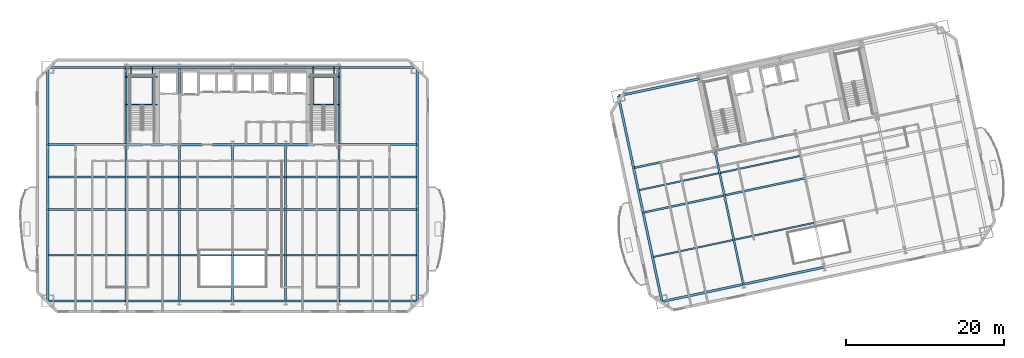
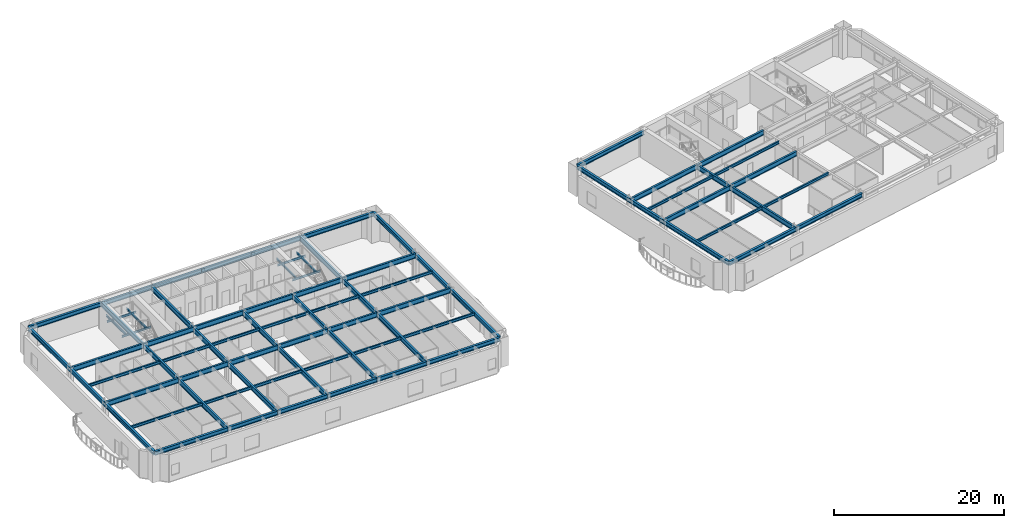
# One storey, part 3 of 15: 79 beams.
"""IFC4 building model written with IfcOpenShell, lengths in metres."""

from ifc_helpers import new_model, si_unit, direction, frame, origin, origin_2d, place, context, subcontext, project, spatial, i_section, extrude, material, material_profile, profile_set, type_object, element, save


model = new_model("IFC4")

# Units and contexts
model_context = context("Model", 3, precision=1e-05, world=origin(), true_north=direction((0.0, 1.0)))
body_context = subcontext(model_context, "Body", "Model", "MODEL_VIEW")
ifc_project = project(units=[si_unit("LENGTHUNIT", "METRE"), si_unit("AREAUNIT", "SQUARE_METRE"), si_unit("VOLUMEUNIT", "CUBIC_METRE"), si_unit("PLANEANGLEUNIT", "RADIAN"), si_unit("MASSUNIT", "GRAM", prefix="KILO")], contexts=[model_context])

# Site, building, storey
site_placement = place(None, origin())
site = spatial("IfcSite", under=ifc_project, at=site_placement, CompositionType="ELEMENT")
building_placement = place(site_placement, origin())
building = spatial("IfcBuilding", under=site, at=building_placement, Name="Haevon Station Towers", CompositionType="ELEMENT")
storey_placement = place(building_placement, frame((0.0, 0.0, 77.699951171875)))
storey = spatial("IfcBuildingStorey", under=building, at=storey_placement, Name="L20", CompositionType="ELEMENT", Elevation=77.699951171875)

# Beams
ifc_material = material(Name="Steel S355", Category="steel")
ifc_material_profile_1 = material_profile(ifc_material, i_section(OverallWidth=0.25, OverallDepth=0.699951171875, WebThickness=0.012939453125, FlangeThickness=0.02392578125, at=origin_2d()), Name="H-700x250x13x24")
ifc_profile_set_1 = profile_set([ifc_material_profile_1], Name="Steel S355")
beam_type_1 = type_object("IfcBeamType", Name="BM-G700", PredefinedType="BEAM", material=ifc_profile_set_1)
beam_1_placement = place(storey_placement, frame((14.050048828125, 30.0, 3.570068359375), z_axis=(1.0, 0.0, 0.0), x_axis=(0.0, 1.0, 0.0)))
element("IfcBeam", 1, at=beam_1_placement, inside=storey, type_object=beam_type_1, Name="BM-T1U-L20-02-01", PredefinedType="BEAM", context=body_context, shape_type="SweptSolid", body=[
    extrude(i_section(OverallWidth=0.25, OverallDepth=0.699951171875, WebThickness=0.012939453125, FlangeThickness=0.02392578125, at=origin_2d()), origin(), (0.0, 0.0, 1.0), 9.949951171875),
])
for number, where, z_axis, x_axis, name in (
    (2, (24.0, 30.0, 3.570068359375), (1.0, 0.0, 0.0), (0.0, 1.0, 0.0), "BM-T1U-L20-02-02"),
    (3, (30.75, 30.0, 3.570068359375), (1.0, 0.0, 0.0), (0.0, 1.0, 0.0), "BM-T1U-L20-02-03"),
    (4, (37.5, 30.0, 3.570068359375), (1.0, 0.0, 0.0), (0.0, 1.0, 0.0), "BM-T1U-L20-02-04"),
    (5, (44.25, 30.0, 3.570068359375), (1.0, 0.0, 0.0), (0.0, 1.0, 0.0), "BM-T1U-L20-02-05"),
):
    element("IfcBeam", number, at=place(storey_placement, frame(where, z_axis=z_axis, x_axis=x_axis)), inside=storey, type_object=beam_type_1, Name=name, PredefinedType="BEAM", context=body_context, shape_type="SweptSolid", body=[
        extrude(i_section(OverallWidth=0.25, OverallDepth=0.699951171875, WebThickness=0.012939453125, FlangeThickness=0.02392578125, at=origin_2d()), origin(), (0.0, 0.0, 1.0), 6.75),
    ])
for number, where, z_axis, x_axis, name in (
    (6, (51.0, 30.0, 3.570068359375), (1.0, 0.0, 0.0), (0.0, 1.0, 0.0), "BM-T1U-L20-02-06"),
    (7, (14.050048828125, 38.199951171875, 3.570068359375), (1.0, 0.0, 0.0), (0.0, 1.0, 0.0), "BM-T1U-L20-03-01"),
):
    element("IfcBeam", number, at=place(storey_placement, frame(where, z_axis=z_axis, x_axis=x_axis)), inside=storey, type_object=beam_type_1, Name=name, PredefinedType="BEAM", context=body_context, shape_type="SweptSolid", body=[
        extrude(i_section(OverallWidth=0.25, OverallDepth=0.699951171875, WebThickness=0.012939453125, FlangeThickness=0.02392578125, at=origin_2d()), origin(), (0.0, 0.0, 1.0), 9.949951171875),
    ])
for number, where, z_axis, x_axis, name in (
    (8, (24.0, 38.199951171875, 3.570068359375), (1.0, 0.0, 0.0), (0.0, 1.0, 0.0), "BM-T1U-L20-03-02"),
    (9, (30.75, 38.199951171875, 3.570068359375), (1.0, 0.0, 0.0), (0.0, 1.0, 0.0), "BM-T1U-L20-03-03"),
    (10, (37.5, 38.199951171875, 3.570068359375), (1.0, 0.0, 0.0), (0.0, 1.0, 0.0), "BM-T1U-L20-03-04"),
    (11, (44.25, 38.199951171875, 3.570068359375), (1.0, 0.0, 0.0), (0.0, 1.0, 0.0), "BM-T1U-L20-03-05"),
):
    element("IfcBeam", number, at=place(storey_placement, frame(where, z_axis=z_axis, x_axis=x_axis)), inside=storey, type_object=beam_type_1, Name=name, PredefinedType="BEAM", context=body_context, shape_type="SweptSolid", body=[
        extrude(i_section(OverallWidth=0.25, OverallDepth=0.699951171875, WebThickness=0.012939453125, FlangeThickness=0.02392578125, at=origin_2d()), origin(), (0.0, 0.0, 1.0), 6.75),
    ])
beam_2_placement = place(storey_placement, frame((51.0, 38.199951171875, 3.570068359375), z_axis=(1.0, 0.0, 0.0), x_axis=(0.0, 1.0, 0.0)))
element("IfcBeam", 12, at=beam_2_placement, inside=storey, type_object=beam_type_1, Name="BM-T1U-L20-03-06", PredefinedType="BEAM", context=body_context, shape_type="SweptSolid", body=[
    extrude(i_section(OverallWidth=0.25, OverallDepth=0.699951171875, WebThickness=0.012939453125, FlangeThickness=0.02392578125, at=origin_2d()), origin(), (0.0, 0.0, 1.0), 9.949951171875),
])
beam_3_placement = place(storey_placement, frame((24.0, 18.35009765625, 3.570068359375), z_axis=(0.0, 1.0, 0.0), x_axis=(-1.0, 0.0, 0.0)))
element("IfcBeam", 13, at=beam_3_placement, inside=storey, type_object=beam_type_1, Name="BM-T1V-L20-02-01", PredefinedType="BEAM", context=body_context, shape_type="SweptSolid", body=[
    extrude(i_section(OverallWidth=0.25, OverallDepth=0.699951171875, WebThickness=0.012939453125, FlangeThickness=0.02392578125, at=origin_2d()), origin(), (0.0, 0.0, 1.0), 11.64990234375),
])
beam_4_placement = place(storey_placement, frame((24.0, 30.0, 3.570068359375), z_axis=(0.0, 1.0, 0.0), x_axis=(-1.0, 0.0, 0.0)))
element("IfcBeam", 14, at=beam_4_placement, inside=storey, type_object=beam_type_1, Name="BM-T1V-L20-02-02", PredefinedType="BEAM", context=body_context, shape_type="SweptSolid", body=[
    extrude(i_section(OverallWidth=0.25, OverallDepth=0.699951171875, WebThickness=0.012939453125, FlangeThickness=0.02392578125, at=origin_2d()), origin(), (0.0, 0.0, 1.0), 8.199951171875),
])
beam_5_placement = place(storey_placement, frame((24.0, 38.199951171875, 3.570068359375), z_axis=(0.0, 1.0, 0.0), x_axis=(-1.0, 0.0, 0.0)))
element("IfcBeam", 15, at=beam_5_placement, inside=storey, type_object=beam_type_1, Name="BM-T1V-L20-02-03", PredefinedType="BEAM", context=body_context, shape_type="SweptSolid", body=[
    extrude(i_section(OverallWidth=0.25, OverallDepth=0.699951171875, WebThickness=0.012939453125, FlangeThickness=0.02392578125, at=origin_2d()), origin(), (0.0, 0.0, 1.0), 9.800048828125),
])
beam_6_placement = place(storey_placement, frame((30.75, 18.35009765625, 3.570068359375), z_axis=(0.0, 1.0, 0.0), x_axis=(-1.0, 0.0, 0.0)))
element("IfcBeam", 16, at=beam_6_placement, inside=storey, type_object=beam_type_1, Name="BM-T1V-L20-03-01", PredefinedType="BEAM", context=body_context, shape_type="SweptSolid", body=[
    extrude(i_section(OverallWidth=0.25, OverallDepth=0.699951171875, WebThickness=0.012939453125, FlangeThickness=0.02392578125, at=origin_2d()), origin(), (0.0, 0.0, 1.0), 11.64990234375),
])
beam_7_placement = place(storey_placement, frame((30.75, 30.0, 3.570068359375), z_axis=(0.0, 1.0, 0.0), x_axis=(-1.0, 0.0, 0.0)))
element("IfcBeam", 17, at=beam_7_placement, inside=storey, type_object=beam_type_1, Name="BM-T1V-L20-03-02", PredefinedType="BEAM", context=body_context, shape_type="SweptSolid", body=[
    extrude(i_section(OverallWidth=0.25, OverallDepth=0.699951171875, WebThickness=0.012939453125, FlangeThickness=0.02392578125, at=origin_2d()), origin(), (0.0, 0.0, 1.0), 8.199951171875),
])
beam_8_placement = place(storey_placement, frame((30.75, 38.199951171875, 3.570068359375), z_axis=(0.0, 1.0, 0.0), x_axis=(-1.0, 0.0, 0.0)))
element("IfcBeam", 18, at=beam_8_placement, inside=storey, type_object=beam_type_1, Name="BM-T1V-L20-03-03", PredefinedType="BEAM", context=body_context, shape_type="SweptSolid", body=[
    extrude(i_section(OverallWidth=0.25, OverallDepth=0.699951171875, WebThickness=0.012939453125, FlangeThickness=0.02392578125, at=origin_2d()), origin(), (0.0, 0.0, 1.0), 9.800048828125),
])
beam_9_placement = place(storey_placement, frame((37.5, 18.35009765625, 3.570068359375), z_axis=(0.0, 1.0, 0.0), x_axis=(-1.0, 0.0, 0.0)))
element("IfcBeam", 19, at=beam_9_placement, inside=storey, type_object=beam_type_1, Name="BM-T1V-L20-04-01", PredefinedType="BEAM", context=body_context, shape_type="SweptSolid", body=[
    extrude(i_section(OverallWidth=0.25, OverallDepth=0.699951171875, WebThickness=0.012939453125, FlangeThickness=0.02392578125, at=origin_2d()), origin(), (0.0, 0.0, 1.0), 11.64990234375),
])
beam_10_placement = place(storey_placement, frame((37.5, 30.0, 3.570068359375), z_axis=(0.0, 1.0, 0.0), x_axis=(-1.0, 0.0, 0.0)))
element("IfcBeam", 20, at=beam_10_placement, inside=storey, type_object=beam_type_1, Name="BM-T1V-L20-04-02", PredefinedType="BEAM", context=body_context, shape_type="SweptSolid", body=[
    extrude(i_section(OverallWidth=0.25, OverallDepth=0.699951171875, WebThickness=0.012939453125, FlangeThickness=0.02392578125, at=origin_2d()), origin(), (0.0, 0.0, 1.0), 8.199951171875),
])
beam_11_placement = place(storey_placement, frame((44.25, 18.35009765625, 3.570068359375), z_axis=(0.0, 1.0, 0.0), x_axis=(-1.0, 0.0, 0.0)))
element("IfcBeam", 21, at=beam_11_placement, inside=storey, type_object=beam_type_1, Name="BM-T1V-L20-05-01", PredefinedType="BEAM", context=body_context, shape_type="SweptSolid", body=[
    extrude(i_section(OverallWidth=0.25, OverallDepth=0.699951171875, WebThickness=0.012939453125, FlangeThickness=0.02392578125, at=origin_2d()), origin(), (0.0, 0.0, 1.0), 11.64990234375),
])
beam_12_placement = place(storey_placement, frame((44.25, 30.0, 3.570068359375), z_axis=(0.0, 1.0, 0.0), x_axis=(-1.0, 0.0, 0.0)))
element("IfcBeam", 22, at=beam_12_placement, inside=storey, type_object=beam_type_1, Name="BM-T1V-L20-05-02", PredefinedType="BEAM", context=body_context, shape_type="SweptSolid", body=[
    extrude(i_section(OverallWidth=0.25, OverallDepth=0.699951171875, WebThickness=0.012939453125, FlangeThickness=0.02392578125, at=origin_2d()), origin(), (0.0, 0.0, 1.0), 8.199951171875),
])
beam_13_placement = place(storey_placement, frame((51.0, 18.35009765625, 3.570068359375), z_axis=(0.0, 1.0, 0.0), x_axis=(-1.0, 0.0, 0.0)))
element("IfcBeam", 23, at=beam_13_placement, inside=storey, type_object=beam_type_1, Name="BM-T1V-L20-06-01", PredefinedType="BEAM", context=body_context, shape_type="SweptSolid", body=[
    extrude(i_section(OverallWidth=0.25, OverallDepth=0.699951171875, WebThickness=0.012939453125, FlangeThickness=0.02392578125, at=origin_2d()), origin(), (0.0, 0.0, 1.0), 11.64990234375),
])
beam_14_placement = place(storey_placement, frame((51.0, 30.0, 3.570068359375), z_axis=(0.0, 1.0, 0.0), x_axis=(-1.0, 0.0, 0.0)))
element("IfcBeam", 24, at=beam_14_placement, inside=storey, type_object=beam_type_1, Name="BM-T1V-L20-06-02", PredefinedType="BEAM", context=body_context, shape_type="SweptSolid", body=[
    extrude(i_section(OverallWidth=0.25, OverallDepth=0.699951171875, WebThickness=0.012939453125, FlangeThickness=0.02392578125, at=origin_2d()), origin(), (0.0, 0.0, 1.0), 8.199951171875),
])
beam_15_placement = place(storey_placement, frame((51.0, 38.199951171875, 3.570068359375), z_axis=(0.0, 1.0, 0.0), x_axis=(-1.0, 0.0, 0.0)))
element("IfcBeam", 25, at=beam_15_placement, inside=storey, type_object=beam_type_1, Name="BM-T1V-L20-06-03", PredefinedType="BEAM", context=body_context, shape_type="SweptSolid", body=[
    extrude(i_section(OverallWidth=0.25, OverallDepth=0.699951171875, WebThickness=0.012939453125, FlangeThickness=0.02392578125, at=origin_2d()), origin(), (0.0, 0.0, 1.0), 9.800048828125),
])
beam_16_placement = place(storey_placement, frame((89.638671875, 29.57568359375, 3.570068359375), z_axis=(0.978150204601, 0.207899440208, 0.0), x_axis=(-0.207899440208, 0.978150204601, 0.0)))
element("IfcBeam", 26, at=beam_16_placement, inside=storey, type_object=beam_type_1, Name="BM-T2U-L20-02-01", PredefinedType="BEAM", context=body_context, shape_type="SweptSolid", body=[
    extrude(i_section(OverallWidth=0.25, OverallDepth=0.699951171875, WebThickness=0.012939453125, FlangeThickness=0.02392578125, at=origin_2d()), origin(), (0.0, 0.0, 1.0), 10.550048828125),
])
beam_17_placement = place(storey_placement, frame((99.958251953125, 31.76904296875, 3.570068359375), z_axis=(0.978146794194, 0.207915485254, 0.0), x_axis=(-0.207915485254, 0.978146794194, 0.0)))
element("IfcBeam", 27, at=beam_17_placement, inside=storey, type_object=beam_type_1, Name="BM-T2U-L20-02-02", PredefinedType="BEAM", context=body_context, shape_type="SweptSolid", body=[
    extrude(i_section(OverallWidth=0.25, OverallDepth=0.699951171875, WebThickness=0.012939453125, FlangeThickness=0.02392578125, at=origin_2d()), origin(), (0.0, 0.0, 1.0), 10.5),
])
beam_18_placement = place(storey_placement, frame((88.432861328125, 35.2490234375, 3.570068359375), z_axis=(0.978150204601, 0.207899440208, 0.0), x_axis=(-0.207899440208, 0.978150204601, 0.0)))
element("IfcBeam", 28, at=beam_18_placement, inside=storey, type_object=beam_type_1, Name="BM-T2U-L20-03-01", PredefinedType="BEAM", context=body_context, shape_type="SweptSolid", body=[
    extrude(i_section(OverallWidth=0.25, OverallDepth=0.699951171875, WebThickness=0.012939453125, FlangeThickness=0.02392578125, at=origin_2d()), origin(), (0.0, 0.0, 1.0), 10.550048828125),
])
beam_19_placement = place(storey_placement, frame((98.75244140625, 37.4423828125, 3.570068359375), z_axis=(0.978146794194, 0.207915485254, 0.0), x_axis=(-0.207915485254, 0.978146794194, 0.0)))
element("IfcBeam", 29, at=beam_19_placement, inside=storey, type_object=beam_type_1, Name="BM-T2U-L20-03-02", PredefinedType="BEAM", context=body_context, shape_type="SweptSolid", body=[
    extrude(i_section(OverallWidth=0.25, OverallDepth=0.699951171875, WebThickness=0.012939453125, FlangeThickness=0.02392578125, at=origin_2d()), origin(), (0.0, 0.0, 1.0), 10.5),
])
beam_20_placement = place(storey_placement, frame((102.359619140625, 20.471435546875, 3.570068359375), z_axis=(-0.207910580697, 0.978147836697, 0.0), x_axis=(-0.978147836697, -0.207910580697, 0.0)))
element("IfcBeam", 30, at=beam_20_placement, inside=storey, type_object=beam_type_1, Name="BM-T2V-L20-02-01", PredefinedType="BEAM", context=body_context, shape_type="SweptSolid", body=[
    extrude(i_section(OverallWidth=0.25, OverallDepth=0.699951171875, WebThickness=0.012939453125, FlangeThickness=0.02392578125, at=origin_2d()), origin(), (0.0, 0.0, 1.0), 11.550048828125),
])
beam_21_placement = place(storey_placement, frame((99.958251953125, 31.76904296875, 3.570068359375), z_axis=(-0.207896009217, 0.97815093383, 0.0), x_axis=(-0.97815093383, -0.207896009217, 0.0)))
element("IfcBeam", 31, at=beam_21_placement, inside=storey, type_object=beam_type_1, Name="BM-T2V-L20-02-02", PredefinedType="BEAM", context=body_context, shape_type="SweptSolid", body=[
    extrude(i_section(OverallWidth=0.25, OverallDepth=0.699951171875, WebThickness=0.012939453125, FlangeThickness=0.02392578125, at=origin_2d()), origin(), (0.0, 0.0, 1.0), 5.800048828125),
])
ifc_material_profile_2 = material_profile(ifc_material, i_section(OverallWidth=0.199951171875, OverallDepth=0.39990234375, WebThickness=0.008056640625, FlangeThickness=0.012939453125, at=origin_2d()), Name="H-400x200x8x13")
ifc_profile_set_2 = profile_set([ifc_material_profile_2], Name="Steel S355")
beam_type_2 = type_object("IfcBeamType", Name="BM-J400", PredefinedType="JOIST", material=ifc_profile_set_2)
beam_22_placement = place(storey_placement, frame((14.159912109375, 24.175048828125, 3.719970703125), z_axis=(1.0, 0.0, 0.0), x_axis=(0.0, 1.0, 0.0)))
element("IfcBeam", 32, at=beam_22_placement, inside=storey, type_object=beam_type_2, Name="BM-T1J-L20-01-01", PredefinedType="JOIST", context=body_context, shape_type="SweptSolid", body=[
    extrude(i_section(OverallWidth=0.199951171875, OverallDepth=0.39990234375, WebThickness=0.008056640625, FlangeThickness=0.012939453125, at=origin_2d()), origin(), (0.0, 0.0, 1.0), 9.72998046875),
])
for number, where, z_axis, x_axis, name in (
    (33, (24.110107421875, 24.175048828125, 3.719970703125), (1.0, 0.0, 0.0), (0.0, 1.0, 0.0), "BM-T1J-L20-01-02"),
    (34, (30.860107421875, 24.175048828125, 3.719970703125), (1.0, 0.0, 0.0), (0.0, 1.0, 0.0), "BM-T1J-L20-01-03"),
    (35, (37.610107421875, 24.175048828125, 3.719970703125), (1.0, 0.0, 0.0), (0.0, 1.0, 0.0), "BM-T1J-L20-01-04"),
    (36, (44.360107421875, 24.175048828125, 3.719970703125), (1.0, 0.0, 0.0), (0.0, 1.0, 0.0), "BM-T1J-L20-01-05"),
):
    element("IfcBeam", number, at=place(storey_placement, frame(where, z_axis=z_axis, x_axis=x_axis)), inside=storey, type_object=beam_type_2, Name=name, PredefinedType="JOIST", context=body_context, shape_type="SweptSolid", body=[
        extrude(i_section(OverallWidth=0.199951171875, OverallDepth=0.39990234375, WebThickness=0.008056640625, FlangeThickness=0.012939453125, at=origin_2d()), origin(), (0.0, 0.0, 1.0), 6.52978515625),
    ])
for number, where, z_axis, x_axis, name in (
    (37, (51.110107421875, 24.175048828125, 3.719970703125), (1.0, 0.0, 0.0), (0.0, 1.0, 0.0), "BM-T1J-L20-01-06"),
    (38, (14.159912109375, 34.10009765625, 3.719970703125), (1.0, 0.0, 0.0), (0.0, 1.0, 0.0), "BM-T1J-L20-02-01"),
):
    element("IfcBeam", number, at=place(storey_placement, frame(where, z_axis=z_axis, x_axis=x_axis)), inside=storey, type_object=beam_type_2, Name=name, PredefinedType="JOIST", context=body_context, shape_type="SweptSolid", body=[
        extrude(i_section(OverallWidth=0.199951171875, OverallDepth=0.39990234375, WebThickness=0.008056640625, FlangeThickness=0.012939453125, at=origin_2d()), origin(), (0.0, 0.0, 1.0), 9.72998046875),
    ])
for number, where, z_axis, x_axis, name in (
    (39, (24.110107421875, 34.10009765625, 3.719970703125), (1.0, 0.0, 0.0), (0.0, 1.0, 0.0), "BM-T1J-L20-02-02"),
    (40, (30.860107421875, 34.10009765625, 3.719970703125), (1.0, 0.0, 0.0), (0.0, 1.0, 0.0), "BM-T1J-L20-02-03"),
    (41, (37.610107421875, 34.10009765625, 3.719970703125), (1.0, 0.0, 0.0), (0.0, 1.0, 0.0), "BM-T1J-L20-02-04"),
    (42, (44.360107421875, 34.10009765625, 3.719970703125), (1.0, 0.0, 0.0), (0.0, 1.0, 0.0), "BM-T1J-L20-02-05"),
):
    element("IfcBeam", number, at=place(storey_placement, frame(where, z_axis=z_axis, x_axis=x_axis)), inside=storey, type_object=beam_type_2, Name=name, PredefinedType="JOIST", context=body_context, shape_type="SweptSolid", body=[
        extrude(i_section(OverallWidth=0.199951171875, OverallDepth=0.39990234375, WebThickness=0.008056640625, FlangeThickness=0.012939453125, at=origin_2d()), origin(), (0.0, 0.0, 1.0), 6.52978515625),
    ])
beam_23_placement = place(storey_placement, frame((51.110107421875, 34.10009765625, 3.719970703125), z_axis=(1.0, 0.0, 0.0), x_axis=(0.0, 1.0, 0.0)))
element("IfcBeam", 43, at=beam_23_placement, inside=storey, type_object=beam_type_2, Name="BM-T1J-L20-02-06", PredefinedType="JOIST", context=body_context, shape_type="SweptSolid", body=[
    extrude(i_section(OverallWidth=0.199951171875, OverallDepth=0.39990234375, WebThickness=0.008056640625, FlangeThickness=0.012939453125, at=origin_2d()), origin(), (0.0, 0.0, 1.0), 9.72998046875),
])
beam_24_placement = place(storey_placement, frame((90.947021484375, 23.94970703125, 3.719970703125), z_axis=(0.978147977643, 0.207909917591, 0.0), x_axis=(-0.207909917591, 0.978147977643, 0.0)))
element("IfcBeam", 44, at=beam_24_placement, inside=storey, type_object=beam_type_2, Name="BM-T2J-L20-01-01", PredefinedType="JOIST", context=body_context, shape_type="SweptSolid", body=[
    extrude(i_section(OverallWidth=0.199951171875, OverallDepth=0.39990234375, WebThickness=0.008056640625, FlangeThickness=0.012939453125, at=origin_2d()), origin(), (0.0, 0.0, 1.0), 10.330078125),
])
beam_25_placement = place(storey_placement, frame((101.2666015625, 26.143310546875, 3.719970703125), z_axis=(0.978149313139, 0.20790363442, 0.0), x_axis=(-0.20790363442, 0.978149313139, 0.0)))
element("IfcBeam", 45, at=beam_25_placement, inside=storey, type_object=beam_type_2, Name="BM-T2J-L20-01-02", PredefinedType="JOIST", context=body_context, shape_type="SweptSolid", body=[
    extrude(i_section(OverallWidth=0.199951171875, OverallDepth=0.39990234375, WebThickness=0.008056640625, FlangeThickness=0.012939453125, at=origin_2d()), origin(), (0.0, 0.0, 1.0), 10.27978515625),
])
beam_26_placement = place(storey_placement, frame((89.1435546875, 32.435302734375, 3.719970703125), z_axis=(0.978147977643, 0.207909917591, 0.0), x_axis=(-0.207909917591, 0.978147977643, 0.0)))
element("IfcBeam", 46, at=beam_26_placement, inside=storey, type_object=beam_type_2, Name="BM-T2J-L20-02-01", PredefinedType="JOIST", context=body_context, shape_type="SweptSolid", body=[
    extrude(i_section(OverallWidth=0.199951171875, OverallDepth=0.39990234375, WebThickness=0.008056640625, FlangeThickness=0.012939453125, at=origin_2d()), origin(), (0.0, 0.0, 1.0), 10.330078125),
])
beam_27_placement = place(storey_placement, frame((99.462890625, 34.628662109375, 3.719970703125), z_axis=(0.978150339653, 0.207898804801, 0.0), x_axis=(-0.207898804801, 0.978150339653, 0.0)))
element("IfcBeam", 47, at=beam_27_placement, inside=storey, type_object=beam_type_2, Name="BM-T2J-L20-02-02", PredefinedType="JOIST", context=body_context, shape_type="SweptSolid", body=[
    extrude(i_section(OverallWidth=0.199951171875, OverallDepth=0.39990234375, WebThickness=0.008056640625, FlangeThickness=0.012939453125, at=origin_2d()), origin(), (0.0, 0.0, 1.0), 10.280029296875),
])
ifc_material_profile_3 = material_profile(ifc_material, i_section(OverallWidth=0.14990234375, OverallDepth=0.300048828125, WebThickness=0.006591796875, FlangeThickness=0.009033203125, at=origin_2d()), Name="H-300x150x6.5x9")
ifc_profile_set_3 = profile_set([ifc_material_profile_3], Name="Steel S355")
beam_type_3 = type_object("IfcBeamType", Name="BM-LIN300", PredefinedType="LINTEL", material=ifc_profile_set_3)
for number, where, z_axis, x_axis, name in (
    (48, (24.0, 43.303955078125, 1.75), (1.0, 0.0, 0.0), (0.0, 1.0, 0.0), "BM-ST1L-L20-1-S"),
    (49, (24.0, 46.820068359375, 1.75), (1.0, 0.0, 0.0), (0.0, 1.0, 0.0), "BM-ST1L-L20-1-N"),
):
    element("IfcBeam", number, at=place(storey_placement, frame(where, z_axis=z_axis, x_axis=x_axis)), inside=storey, type_object=beam_type_3, Name=name, PredefinedType="LINTEL", context=body_context, shape_type="SweptSolid", body=[
        extrude(i_section(OverallWidth=0.14990234375, OverallDepth=0.300048828125, WebThickness=0.006591796875, FlangeThickness=0.009033203125, at=origin_2d()), origin(), (0.0, 0.0, 1.0), 3.949951171875),
    ])
for number, where, z_axis, x_axis, name in (
    (50, (24.60009765625, 43.303955078125, 1.75), (0.0, 1.0, 0.0), (-1.0, 0.0, 0.0), "BM-ST1L-L20-1-W"),
    (51, (27.35009765625, 43.303955078125, 1.75), (0.0, 1.0, 0.0), (-1.0, 0.0, 0.0), "BM-ST1L-L20-1-E"),
):
    element("IfcBeam", number, at=place(storey_placement, frame(where, z_axis=z_axis, x_axis=x_axis)), inside=storey, type_object=beam_type_3, Name=name, PredefinedType="LINTEL", context=body_context, shape_type="SweptSolid", body=[
        extrude(i_section(OverallWidth=0.14990234375, OverallDepth=0.300048828125, WebThickness=0.006591796875, FlangeThickness=0.009033203125, at=origin_2d()), origin(), (0.0, 0.0, 1.0), 4.696044921875),
    ])
for number, where, z_axis, x_axis, name in (
    (52, (47.14990234375, 43.303955078125, 1.75), (1.0, 0.0, 0.0), (0.0, 1.0, 0.0), "BM-ST2L-L20-1-S"),
    (53, (47.14990234375, 46.820068359375, 1.75), (1.0, 0.0, 0.0), (0.0, 1.0, 0.0), "BM-ST2L-L20-1-N"),
):
    element("IfcBeam", number, at=place(storey_placement, frame(where, z_axis=z_axis, x_axis=x_axis)), inside=storey, type_object=beam_type_3, Name=name, PredefinedType="LINTEL", context=body_context, shape_type="SweptSolid", body=[
        extrude(i_section(OverallWidth=0.14990234375, OverallDepth=0.300048828125, WebThickness=0.006591796875, FlangeThickness=0.009033203125, at=origin_2d()), origin(), (0.0, 0.0, 1.0), 3.85009765625),
    ])
for number, where, z_axis, x_axis, name in (
    (54, (47.75, 43.303955078125, 1.75), (0.0, 1.0, 0.0), (-1.0, 0.0, 0.0), "BM-ST2L-L20-1-W"),
    (55, (50.39990234375, 43.303955078125, 1.75), (0.0, 1.0, 0.0), (-1.0, 0.0, 0.0), "BM-ST2L-L20-1-E"),
):
    element("IfcBeam", number, at=place(storey_placement, frame(where, z_axis=z_axis, x_axis=x_axis)), inside=storey, type_object=beam_type_3, Name=name, PredefinedType="LINTEL", context=body_context, shape_type="SweptSolid", body=[
        extrude(i_section(OverallWidth=0.14990234375, OverallDepth=0.300048828125, WebThickness=0.006591796875, FlangeThickness=0.009033203125, at=origin_2d()), origin(), (0.0, 0.0, 1.0), 4.696044921875),
    ])
ifc_material_profile_4 = material_profile(ifc_material, i_section(OverallWidth=0.300048828125, OverallDepth=0.587890625, WebThickness=0.011962890625, FlangeThickness=0.02001953125, at=origin_2d()), Name="H-588x300x12x20")
ifc_profile_set_4 = profile_set([ifc_material_profile_4], Name="Steel S355")
beam_type_4 = type_object("IfcBeamType", Name="BM-SP588", PredefinedType="SPANDREL", material=ifc_profile_set_4)
beam_28_placement = place(storey_placement, frame((14.050048828125, 18.35009765625, 3.6259765625), z_axis=(1.0, 0.0, 0.0), x_axis=(0.0, 1.0, 0.0)))
element("IfcBeam", 56, at=beam_28_placement, inside=storey, type_object=beam_type_4, Name="BM-T1U-L20-01-01", PredefinedType="SPANDREL", context=body_context, shape_type="SweptSolid", body=[
    extrude(i_section(OverallWidth=0.300048828125, OverallDepth=0.587890625, WebThickness=0.011962890625, FlangeThickness=0.02001953125, at=origin_2d()), origin(), (0.0, 0.0, 1.0), 9.949951171875),
])
for number, where, z_axis, x_axis, name in (
    (57, (24.0, 18.35009765625, 3.6259765625), (1.0, 0.0, 0.0), (0.0, 1.0, 0.0), "BM-T1U-L20-01-02"),
    (58, (30.75, 18.35009765625, 3.6259765625), (1.0, 0.0, 0.0), (0.0, 1.0, 0.0), "BM-T1U-L20-01-03"),
    (59, (37.5, 18.35009765625, 3.6259765625), (1.0, 0.0, 0.0), (0.0, 1.0, 0.0), "BM-T1U-L20-01-04"),
    (60, (44.25, 18.35009765625, 3.6259765625), (1.0, 0.0, 0.0), (0.0, 1.0, 0.0), "BM-T1U-L20-01-05"),
):
    element("IfcBeam", number, at=place(storey_placement, frame(where, z_axis=z_axis, x_axis=x_axis)), inside=storey, type_object=beam_type_4, Name=name, PredefinedType="SPANDREL", context=body_context, shape_type="SweptSolid", body=[
        extrude(i_section(OverallWidth=0.300048828125, OverallDepth=0.587890625, WebThickness=0.011962890625, FlangeThickness=0.02001953125, at=origin_2d()), origin(), (0.0, 0.0, 1.0), 6.75),
    ])
for number, where, z_axis, x_axis, name in (
    (61, (51.0, 18.35009765625, 3.6259765625), (1.0, 0.0, 0.0), (0.0, 1.0, 0.0), "BM-T1U-L20-01-06"),
    (62, (14.050048828125, 48.0, 3.6259765625), (1.0, 0.0, 0.0), (0.0, 1.0, 0.0), "BM-T1U-L20-04-01"),
):
    element("IfcBeam", number, at=place(storey_placement, frame(where, z_axis=z_axis, x_axis=x_axis)), inside=storey, type_object=beam_type_4, Name=name, PredefinedType="SPANDREL", context=body_context, shape_type="SweptSolid", body=[
        extrude(i_section(OverallWidth=0.300048828125, OverallDepth=0.587890625, WebThickness=0.011962890625, FlangeThickness=0.02001953125, at=origin_2d()), origin(), (0.0, 0.0, 1.0), 9.949951171875),
    ])
for number, where, z_axis, x_axis, name in (
    (63, (24.0, 48.0, 3.6259765625), (1.0, 0.0, 0.0), (0.0, 1.0, 0.0), "BM-T1U-L20-04-02"),
    (64, (30.75, 48.0, 3.6259765625), (1.0, 0.0, 0.0), (0.0, 1.0, 0.0), "BM-T1U-L20-04-03"),
    (65, (37.5, 48.0, 3.6259765625), (1.0, 0.0, 0.0), (0.0, 1.0, 0.0), "BM-T1U-L20-04-04"),
    (66, (44.25, 48.0, 3.6259765625), (1.0, 0.0, 0.0), (0.0, 1.0, 0.0), "BM-T1U-L20-04-05"),
):
    element("IfcBeam", number, at=place(storey_placement, frame(where, z_axis=z_axis, x_axis=x_axis)), inside=storey, type_object=beam_type_4, Name=name, PredefinedType="SPANDREL", context=body_context, shape_type="SweptSolid", body=[
        extrude(i_section(OverallWidth=0.300048828125, OverallDepth=0.587890625, WebThickness=0.011962890625, FlangeThickness=0.02001953125, at=origin_2d()), origin(), (0.0, 0.0, 1.0), 6.75),
    ])
beam_29_placement = place(storey_placement, frame((51.0, 48.0, 3.6259765625), z_axis=(1.0, 0.0, 0.0), x_axis=(0.0, 1.0, 0.0)))
element("IfcBeam", 67, at=beam_29_placement, inside=storey, type_object=beam_type_4, Name="BM-T1U-L20-04-06", PredefinedType="SPANDREL", context=body_context, shape_type="SweptSolid", body=[
    extrude(i_section(OverallWidth=0.300048828125, OverallDepth=0.587890625, WebThickness=0.011962890625, FlangeThickness=0.02001953125, at=origin_2d()), origin(), (0.0, 0.0, 1.0), 9.949951171875),
])
beam_30_placement = place(storey_placement, frame((14.050048828125, 18.35009765625, 3.6259765625), z_axis=(0.0, 1.0, 0.0), x_axis=(-1.0, 0.0, 0.0)))
element("IfcBeam", 68, at=beam_30_placement, inside=storey, type_object=beam_type_4, Name="BM-T1V-L20-01-01", PredefinedType="SPANDREL", context=body_context, shape_type="SweptSolid", body=[
    extrude(i_section(OverallWidth=0.300048828125, OverallDepth=0.587890625, WebThickness=0.011962890625, FlangeThickness=0.02001953125, at=origin_2d()), origin(), (0.0, 0.0, 1.0), 11.64990234375),
])
beam_31_placement = place(storey_placement, frame((14.050048828125, 30.0, 3.6259765625), z_axis=(0.0, 1.0, 0.0), x_axis=(-1.0, 0.0, 0.0)))
element("IfcBeam", 69, at=beam_31_placement, inside=storey, type_object=beam_type_4, Name="BM-T1V-L20-01-02", PredefinedType="SPANDREL", context=body_context, shape_type="SweptSolid", body=[
    extrude(i_section(OverallWidth=0.300048828125, OverallDepth=0.587890625, WebThickness=0.011962890625, FlangeThickness=0.02001953125, at=origin_2d()), origin(), (0.0, 0.0, 1.0), 8.199951171875),
])
beam_32_placement = place(storey_placement, frame((14.050048828125, 38.199951171875, 3.6259765625), z_axis=(0.0, 1.0, 0.0), x_axis=(-1.0, 0.0, 0.0)))
element("IfcBeam", 70, at=beam_32_placement, inside=storey, type_object=beam_type_4, Name="BM-T1V-L20-01-03", PredefinedType="SPANDREL", context=body_context, shape_type="SweptSolid", body=[
    extrude(i_section(OverallWidth=0.300048828125, OverallDepth=0.587890625, WebThickness=0.011962890625, FlangeThickness=0.02001953125, at=origin_2d()), origin(), (0.0, 0.0, 1.0), 9.800048828125),
])
beam_33_placement = place(storey_placement, frame((60.949951171875, 18.35009765625, 3.6259765625), z_axis=(0.0, 1.0, 0.0), x_axis=(-1.0, 0.0, 0.0)))
element("IfcBeam", 71, at=beam_33_placement, inside=storey, type_object=beam_type_4, Name="BM-T1V-L20-07-01", PredefinedType="SPANDREL", context=body_context, shape_type="SweptSolid", body=[
    extrude(i_section(OverallWidth=0.300048828125, OverallDepth=0.587890625, WebThickness=0.011962890625, FlangeThickness=0.02001953125, at=origin_2d()), origin(), (0.0, 0.0, 1.0), 11.64990234375),
])
beam_34_placement = place(storey_placement, frame((60.949951171875, 30.0, 3.6259765625), z_axis=(0.0, 1.0, 0.0), x_axis=(-1.0, 0.0, 0.0)))
element("IfcBeam", 72, at=beam_34_placement, inside=storey, type_object=beam_type_4, Name="BM-T1V-L20-07-02", PredefinedType="SPANDREL", context=body_context, shape_type="SweptSolid", body=[
    extrude(i_section(OverallWidth=0.300048828125, OverallDepth=0.587890625, WebThickness=0.011962890625, FlangeThickness=0.02001953125, at=origin_2d()), origin(), (0.0, 0.0, 1.0), 8.199951171875),
])
beam_35_placement = place(storey_placement, frame((60.949951171875, 38.199951171875, 3.6259765625), z_axis=(0.0, 1.0, 0.0), x_axis=(-1.0, 0.0, 0.0)))
element("IfcBeam", 73, at=beam_35_placement, inside=storey, type_object=beam_type_4, Name="BM-T1V-L20-07-03", PredefinedType="SPANDREL", context=body_context, shape_type="SweptSolid", body=[
    extrude(i_section(OverallWidth=0.300048828125, OverallDepth=0.587890625, WebThickness=0.011962890625, FlangeThickness=0.02001953125, at=origin_2d()), origin(), (0.0, 0.0, 1.0), 9.800048828125),
])
beam_36_placement = place(storey_placement, frame((92.040283203125, 18.278076171875, 3.6259765625), z_axis=(0.978149204359, 0.207904146209, 0.0), x_axis=(-0.207904146209, 0.978149204359, 0.0)))
element("IfcBeam", 74, at=beam_36_placement, inside=storey, type_object=beam_type_4, Name="BM-T2U-L20-01-01", PredefinedType="SPANDREL", context=body_context, shape_type="SweptSolid", body=[
    extrude(i_section(OverallWidth=0.300048828125, OverallDepth=0.587890625, WebThickness=0.011962890625, FlangeThickness=0.02001953125, at=origin_2d()), origin(), (0.0, 0.0, 1.0), 10.5498046875),
])
beam_37_placement = place(storey_placement, frame((102.359619140625, 20.471435546875, 3.6259765625), z_axis=(0.978146794194, 0.207915485254, 0.0), x_axis=(-0.207915485254, 0.978146794194, 0.0)))
element("IfcBeam", 75, at=beam_37_placement, inside=storey, type_object=beam_type_4, Name="BM-T2U-L20-01-02", PredefinedType="SPANDREL", context=body_context, shape_type="SweptSolid", body=[
    extrude(i_section(OverallWidth=0.300048828125, OverallDepth=0.587890625, WebThickness=0.011962890625, FlangeThickness=0.02001953125, at=origin_2d()), origin(), (0.0, 0.0, 1.0), 10.5),
])
beam_38_placement = place(storey_placement, frame((86.489013671875, 44.39453125, 3.6259765625), z_axis=(0.978144498026, 0.207926287375, 0.0), x_axis=(-0.207926287375, 0.978144498026, 0.0)))
element("IfcBeam", 76, at=beam_38_placement, inside=storey, type_object=beam_type_4, Name="BM-T2U-L20-04-01", PredefinedType="SPANDREL", context=body_context, shape_type="SweptSolid", body=[
    extrude(i_section(OverallWidth=0.300048828125, OverallDepth=0.587890625, WebThickness=0.011962890625, FlangeThickness=0.02001953125, at=origin_2d()), origin(), (0.0, 0.0, 1.0), 10.5498046875),
])
beam_39_placement = place(storey_placement, frame((92.040283203125, 18.278076171875, 3.6259765625), z_axis=(-0.207930804564, 0.978143537786, 0.0), x_axis=(-0.978143537786, -0.207930804564, 0.0)))
element("IfcBeam", 77, at=beam_39_placement, inside=storey, type_object=beam_type_4, Name="BM-T2V-L20-01-01", PredefinedType="SPANDREL", context=body_context, shape_type="SweptSolid", body=[
    extrude(i_section(OverallWidth=0.300048828125, OverallDepth=0.587890625, WebThickness=0.011962890625, FlangeThickness=0.02001953125, at=origin_2d()), origin(), (0.0, 0.0, 1.0), 11.550048828125),
])
beam_40_placement = place(storey_placement, frame((89.638671875, 29.57568359375, 3.6259765625), z_axis=(-0.207896009217, 0.97815093383, 0.0), x_axis=(-0.97815093383, -0.207896009217, 0.0)))
element("IfcBeam", 78, at=beam_40_placement, inside=storey, type_object=beam_type_4, Name="BM-T2V-L20-01-02", PredefinedType="SPANDREL", context=body_context, shape_type="SweptSolid", body=[
    extrude(i_section(OverallWidth=0.300048828125, OverallDepth=0.587890625, WebThickness=0.011962890625, FlangeThickness=0.02001953125, at=origin_2d()), origin(), (0.0, 0.0, 1.0), 5.800048828125),
])
beam_41_placement = place(storey_placement, frame((88.432861328125, 35.2490234375, 3.6259765625), z_axis=(-0.207902477038, 0.978149559138, 0.0), x_axis=(-0.978149559138, -0.207902477038, 0.0)))
element("IfcBeam", 79, at=beam_41_placement, inside=storey, type_object=beam_type_4, Name="BM-T2V-L20-01-03", PredefinedType="SPANDREL", context=body_context, shape_type="SweptSolid", body=[
    extrude(i_section(OverallWidth=0.300048828125, OverallDepth=0.587890625, WebThickness=0.011962890625, FlangeThickness=0.02001953125, at=origin_2d()), origin(), (0.0, 0.0, 1.0), 9.349853515625),
])

save(model, "model.ifc")
